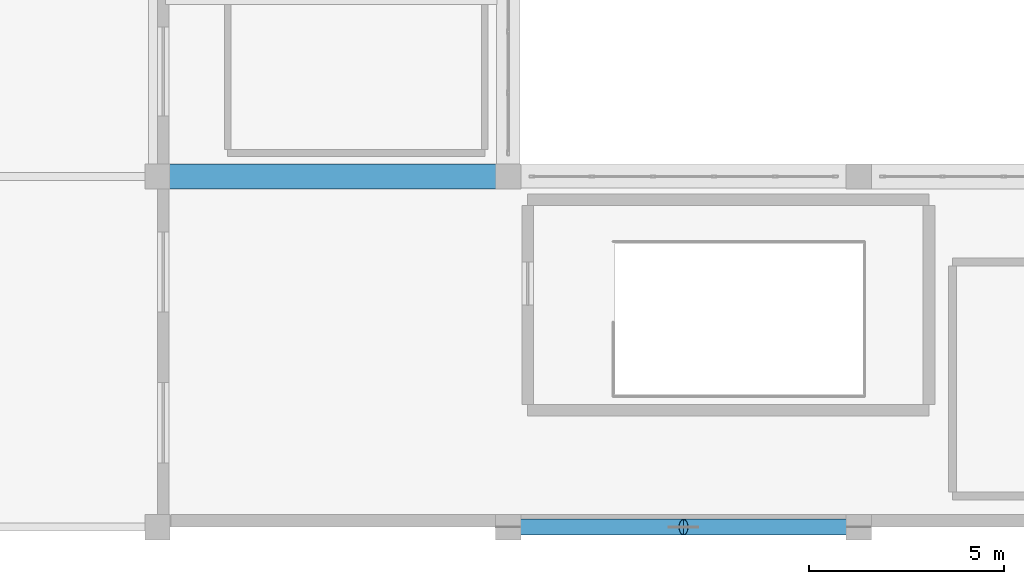
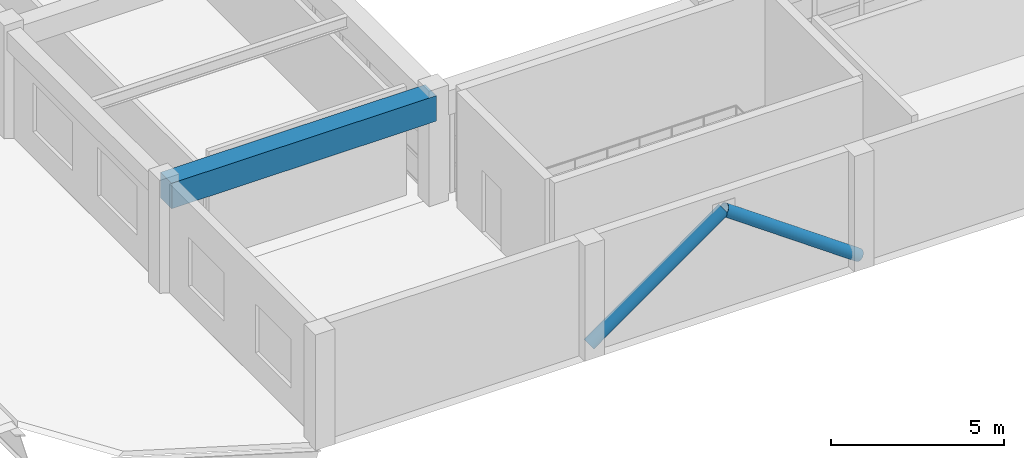
# One storey, part 16 of 130: 2 members, 1 beam.
"""IFC4 building model written with IfcOpenShell, lengths in metres."""

from ifc_helpers import new_model, si_unit, direction, frame, origin, origin_2d, place, context, subcontext, project, spatial, rectangle, hollow_circle, extrude, material, material_profile, profile_set, type_object, element, save


model = new_model("IFC4")

# Units and contexts
model_context = context("Model", 3, precision=1e-05, world=origin(), true_north=direction((0.0, 1.0)))
body_context = subcontext(model_context, "Body", "Model", "MODEL_VIEW")
ifc_project = project(units=[si_unit("LENGTHUNIT", "METRE"), si_unit("AREAUNIT", "SQUARE_METRE"), si_unit("VOLUMEUNIT", "CUBIC_METRE"), si_unit("PLANEANGLEUNIT", "RADIAN"), si_unit("MASSUNIT", "GRAM", prefix="KILO")], contexts=[model_context])

# Site, building, storey
site_placement = place(None, origin())
site = spatial("IfcSite", under=ifc_project, at=site_placement, CompositionType="ELEMENT")
building_placement = place(site_placement, origin())
building = spatial("IfcBuilding", under=site, at=building_placement, Name="Miravela Opera House", CompositionType="ELEMENT")
storey_placement = place(building_placement, frame((0.0, 0.0, 9.52001953125)))
storey = spatial("IfcBuildingStorey", under=building, at=storey_placement, Name="L02", CompositionType="ELEMENT", Elevation=9.52001953125)

# Beam
ifc_material_1 = material(Name="Concrete C40/50", Category="concrete")
ifc_material_profile_1 = material_profile(ifc_material_1, rectangle(XDim=0.64990234375, YDim=0.89990234375, at=origin_2d()), Name="RC-BM-650X900")
ifc_profile_set_1 = profile_set([ifc_material_profile_1])
beam_type = type_object("IfcBeamType", Name="STR-BM-RC650X900", PredefinedType="BEAM", material=ifc_profile_set_1)
beam_placement = place(storey_placement, frame((18.080078125, 9.0, 3.389892578125), z_axis=(1.0, 0.0, 0.0), x_axis=(0.0, 1.0, 0.0)))
element("IfcBeam", 1, at=beam_placement, inside=storey, type_object=beam_type, Name="Floor Girder L02 3-4/B", PredefinedType="BEAM", context=body_context, shape_type="SweptSolid", body=[
    extrude(rectangle(XDim=0.64990234375, YDim=0.89990234375, at=origin_2d()), origin(), (0.0, 0.0, 1.0), 8.83984375),
])

# Members
ifc_material_2 = material(Name="Hollow structural steel ASTM A500 Gr. C", Category="steel")
ifc_material_profile_2 = material_profile(ifc_material_2, hollow_circle(Radius=0.203125, WallThickness=0.011962890625, at=origin_2d()), Name="CHS406X12")
ifc_profile_set_2 = profile_set([ifc_material_profile_2])
member_type = type_object("IfcMemberType", Name="STR-MEM-BRACE-CHS406", PredefinedType="BRACE", material=ifc_profile_set_2)
for number, where, z_axis, x_axis, name in (
    (2, (27.0, 0.0, 0.300048828125), (0.81581566002, 0.0, 0.57831203417), (0.0, 1.0, 0.0), "Concentric Braced Frame BF-S1 L02 Left Brace"),
    (3, (36.0, 0.0, 0.300048828125), (-0.81581566002, 0.0, 0.57831203417), (0.0, -1.0, 0.0), "Concentric Braced Frame BF-S1 L02 Right Brace"),
):
    element("IfcMember", number, at=place(storey_placement, frame(where, z_axis=z_axis, x_axis=x_axis)), inside=storey, type_object=member_type, Name=name, PredefinedType="BRACE", context=body_context, shape_type="SweptSolid", body=[
        extrude(hollow_circle(Radius=0.203125, WallThickness=0.011962890625, at=origin_2d()), origin(), (0.0, 0.0, 1.0), 5.515869140625),
    ])

save(model, "model.ifc")
